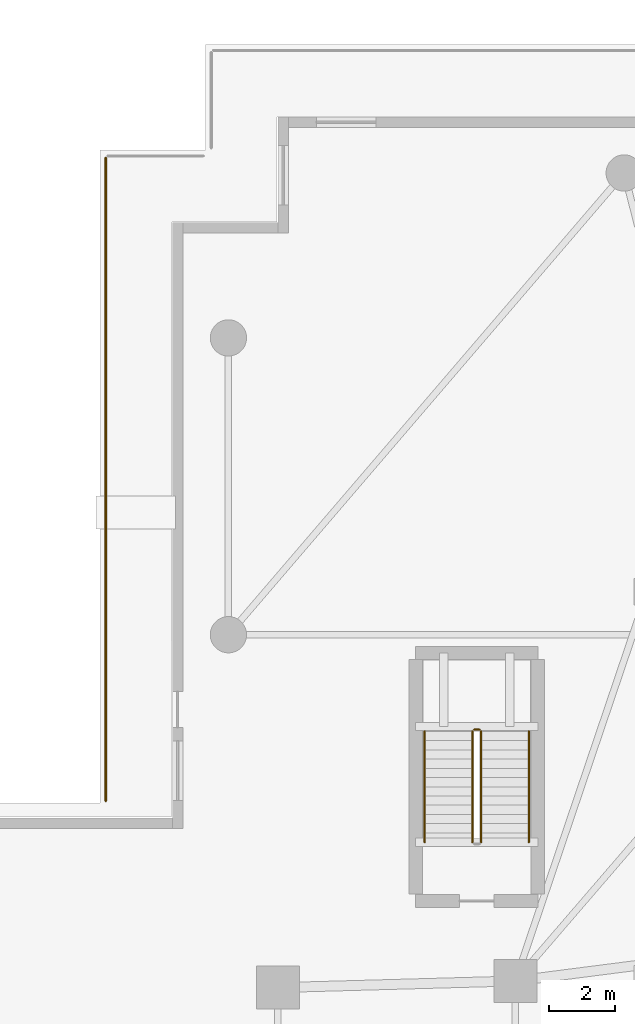
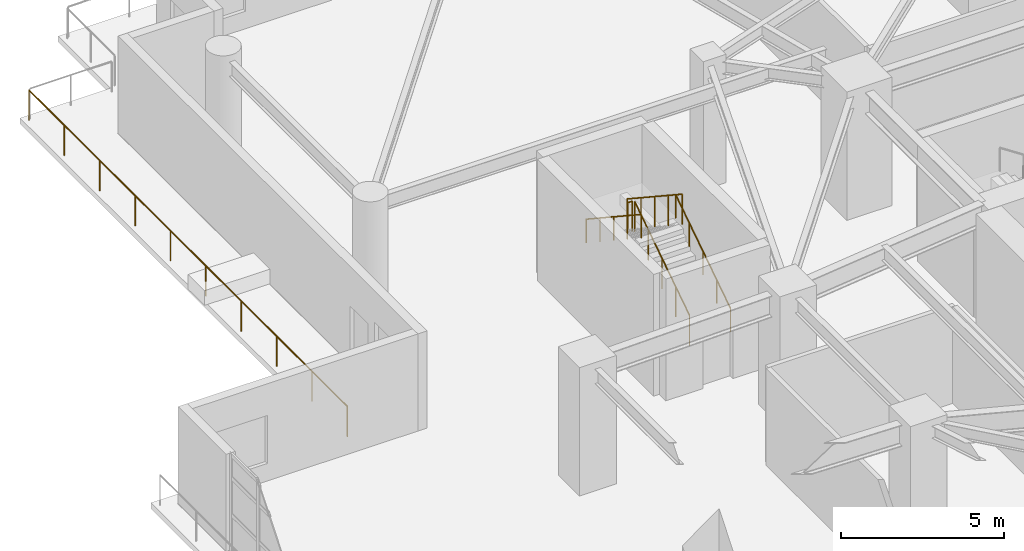
# One storey, part 21 of 23: 6 railings.
"""IFC4 building model written with IfcOpenShell, lengths in metres."""

from ifc_helpers import new_model, si_unit, direction, frame, origin, origin_2d, place, context, subcontext, project, spatial, circle, extrude, material, type_object, element, save


model = new_model("IFC4")

# Units and contexts
model_context = context("Model", 3, precision=1e-05, world=origin(), true_north=direction((0.0, 1.0)))
body_context = subcontext(model_context, "Body", "Model", "MODEL_VIEW")
ifc_project = project(units=[si_unit("LENGTHUNIT", "METRE"), si_unit("AREAUNIT", "SQUARE_METRE"), si_unit("VOLUMEUNIT", "CUBIC_METRE"), si_unit("PLANEANGLEUNIT", "RADIAN"), si_unit("MASSUNIT", "GRAM", prefix="KILO")], contexts=[model_context])

# Site, building, storey
site_placement = place(None, origin())
site = spatial("IfcSite", under=ifc_project, at=site_placement, CompositionType="ELEMENT")
building_placement = place(site_placement, origin())
building = spatial("IfcBuilding", under=site, at=building_placement, Name="Qingluan Cross Belvedere", CompositionType="ELEMENT")
storey_placement = place(building_placement, frame((0.0, 0.0, 5.39990234375)))
storey = spatial("IfcBuildingStorey", under=building, at=storey_placement, Name="L02", CompositionType="ELEMENT", Elevation=5.39990234375)

# Railings
ifc_material_1 = material(Name="Brushed stainless steel tubular handrail", Category="steel")
railing_type_1 = type_object("IfcRailingType", Name="StairPitchHandrail_900", PredefinedType="HANDRAIL", material=ifc_material_1)
railing_1_placement = place(storey_placement, frame((-19.389892578125, 8.2099609375, 0.184814453125)))
element("IfcRailing", 1, at=railing_1_placement, inside=storey, type_object=railing_type_1, Name="L02 ST5 stair handrail 1", PredefinedType="HANDRAIL", context=body_context, shape_type="SweptSolid", body=[
    extrude(circle(Radius=0.02392578125, at=origin_2d()), frame((0.0, 0.0, 0.8759765625), z_axis=(0.0, 0.834876476806, 0.550437342915), x_axis=(-1.0, 0.0, 0.0)), (0.0, 0.0, 1.0), 4.024658203125),
    extrude(circle(Radius=0.02099609375, at=origin_2d()), origin(), (0.0, 0.0, 1.0), 0.851806640625),
    extrude(circle(Radius=0.02099609375, at=origin_2d()), frame((0.0, 0.840087890625, 0.5537109375)), (0.0, 0.0, 1.0), 0.851806640625),
    extrude(circle(Radius=0.02099609375, at=origin_2d()), frame((0.0, 1.68017578125, 1.107666015625)), (0.0, 0.0, 1.0), 0.851806640625),
    extrude(circle(Radius=0.02099609375, at=origin_2d()), frame((0.0, 2.52001953125, 1.66162109375)), (0.0, 0.0, 1.0), 0.851806640625),
    extrude(circle(Radius=0.02099609375, at=origin_2d()), frame((0.0, 3.360107421875, 2.21533203125)), (0.0, 0.0, 1.0), 0.851806640625),
])
railing_2_placement = place(storey_placement, frame((-22.550048828125, 11.570068359375, 2.584716796875)))
element("IfcRailing", 2, at=railing_2_placement, inside=storey, type_object=railing_type_1, Name="L02 ST5 stair handrail 2", PredefinedType="HANDRAIL", context=body_context, shape_type="SweptSolid", body=[
    extrude(circle(Radius=0.02392578125, at=origin_2d()), frame((0.0, 0.0, 0.8759765625), z_axis=(0.0, -0.834876476806, 0.550437342915), x_axis=(1.0, 0.0, 0.0)), (0.0, 0.0, 1.0), 4.024658203125),
    extrude(circle(Radius=0.02099609375, at=origin_2d()), origin(), (0.0, 0.0, 1.0), 0.851806640625),
    extrude(circle(Radius=0.02099609375, at=origin_2d()), frame((0.0, -0.840087890625, 0.5537109375)), (0.0, 0.0, 1.0), 0.851806640625),
    extrude(circle(Radius=0.02099609375, at=origin_2d()), frame((0.0, -1.68017578125, 1.107666015625)), (0.0, 0.0, 1.0), 0.851806640625),
    extrude(circle(Radius=0.02099609375, at=origin_2d()), frame((0.0, -2.52001953125, 1.66162109375)), (0.0, 0.0, 1.0), 0.851806640625),
    extrude(circle(Radius=0.02099609375, at=origin_2d()), frame((0.0, -3.360107421875, 2.21533203125)), (0.0, 0.0, 1.0), 0.851806640625),
])
ifc_material_2 = material(Name="Painted steel stair well guard", Category="steel")
railing_type_2 = type_object("IfcRailingType", Name="StairWellGuard_1150", PredefinedType="BALUSTRADE", material=ifc_material_2)
railing_3_placement = place(storey_placement, frame((-20.840087890625, 8.2099609375, 0.184814453125)))
element("IfcRailing", 3, at=railing_3_placement, inside=storey, type_object=railing_type_2, Name="L02 ST5 stair guard 1", PredefinedType="BALUSTRADE", context=body_context, shape_type="SweptSolid", body=[
    extrude(circle(Radius=0.02392578125, at=origin_2d()), frame((0.0, 0.0, 1.1259765625), z_axis=(0.0, 0.834876476806, 0.550437342915), x_axis=(-1.0, 0.0, 0.0)), (0.0, 0.0, 1.0), 4.024658203125),
    extrude(circle(Radius=0.02099609375, at=origin_2d()), origin(), (0.0, 0.0, 1.0), 1.101806640625),
    extrude(circle(Radius=0.02099609375, at=origin_2d()), frame((0.0, 0.840087890625, 0.5537109375)), (0.0, 0.0, 1.0), 1.101806640625),
    extrude(circle(Radius=0.02099609375, at=origin_2d()), frame((0.0, 1.68017578125, 1.107666015625)), (0.0, 0.0, 1.0), 1.101806640625),
    extrude(circle(Radius=0.02099609375, at=origin_2d()), frame((0.0, 2.52001953125, 1.66162109375)), (0.0, 0.0, 1.0), 1.101806640625),
    extrude(circle(Radius=0.02099609375, at=origin_2d()), frame((0.0, 3.360107421875, 2.21533203125)), (0.0, 0.0, 1.0), 1.101806640625),
])
railing_4_placement = place(storey_placement, frame((-20.889892578125, 11.6201171875, 2.400146484375)))
element("IfcRailing", 4, at=railing_4_placement, inside=storey, type_object=railing_type_2, Name="L02 ST5 stair guard 2", PredefinedType="BALUSTRADE", context=body_context, shape_type="SweptSolid", body=[
    extrude(circle(Radius=0.02392578125, at=origin_2d()), frame((0.0, 0.0, 1.1259765625), z_axis=(-1.0, 0.0, 0.0), x_axis=(0.0, -1.0, 0.0)), (0.0, 0.0, 1.0), 0.16015625),
    extrude(circle(Radius=0.02099609375, at=origin_2d()), origin(), (0.0, 0.0, 1.0), 1.101806640625),
    extrude(circle(Radius=0.02099609375, at=origin_2d()), frame((-0.16015625, 0.0, 0.0)), (0.0, 0.0, 1.0), 1.101806640625),
])
railing_5_placement = place(storey_placement, frame((-21.10009765625, 11.570068359375, 2.584716796875)))
element("IfcRailing", 5, at=railing_5_placement, inside=storey, type_object=railing_type_2, Name="L02 ST5 stair guard 3", PredefinedType="BALUSTRADE", context=body_context, shape_type="SweptSolid", body=[
    extrude(circle(Radius=0.02392578125, at=origin_2d()), frame((0.0, 0.0, 1.1259765625), z_axis=(0.0, -0.834876476806, 0.550437342915), x_axis=(1.0, 0.0, 0.0)), (0.0, 0.0, 1.0), 4.024658203125),
    extrude(circle(Radius=0.02099609375, at=origin_2d()), origin(), (0.0, 0.0, 1.0), 1.101806640625),
    extrude(circle(Radius=0.02099609375, at=origin_2d()), frame((0.0, -0.840087890625, 0.5537109375)), (0.0, 0.0, 1.0), 1.101806640625),
    extrude(circle(Radius=0.02099609375, at=origin_2d()), frame((0.0, -1.68017578125, 1.107666015625)), (0.0, 0.0, 1.0), 1.101806640625),
    extrude(circle(Radius=0.02099609375, at=origin_2d()), frame((0.0, -2.52001953125, 1.66162109375)), (0.0, 0.0, 1.0), 1.101806640625),
    extrude(circle(Radius=0.02099609375, at=origin_2d()), frame((0.0, -3.360107421875, 2.21533203125)), (0.0, 0.0, 1.0), 1.101806640625),
])
ifc_material_3 = material(Name="Laminated glass and stainless steel balustrade", Category="steel")
railing_type_3 = type_object("IfcRailingType", Name="TerraceGuardBalustrade_1150", PredefinedType="BALUSTRADE", material=ifc_material_3)
railing_6_placement = place(storey_placement, frame((-32.219970703125, 9.4599609375, 0.0)))
element("IfcRailing", 6, at=railing_6_placement, inside=storey, type_object=railing_type_3, Name="Terrace guard L02-2", PredefinedType="BALUSTRADE", context=body_context, shape_type="SweptSolid", body=[
    extrude(circle(Radius=0.02392578125, at=origin_2d()), frame((0.0, 0.0, 1.1259765625), z_axis=(0.0, 1.0, 0.0), x_axis=(-1.0, 0.0, 0.0)), (0.0, 0.0, 1.0), 19.5),
    extrude(circle(Radius=0.02099609375, at=origin_2d()), origin(), (0.0, 0.0, 1.0), 1.101806640625),
    extrude(circle(Radius=0.02099609375, at=origin_2d()), frame((0.0, 2.166748046875, 0.0)), (0.0, 0.0, 1.0), 1.101806640625),
    extrude(circle(Radius=0.02099609375, at=origin_2d()), frame((0.0, 4.333251953125, 0.0)), (0.0, 0.0, 1.0), 1.101806640625),
    extrude(circle(Radius=0.02099609375, at=origin_2d()), frame((0.0, 6.5, 0.0)), (0.0, 0.0, 1.0), 1.101806640625),
    extrude(circle(Radius=0.02099609375, at=origin_2d()), frame((0.0, 8.666748046875, 0.0)), (0.0, 0.0, 1.0), 1.101806640625),
    extrude(circle(Radius=0.02099609375, at=origin_2d()), frame((0.0, 10.833251953125, 0.0)), (0.0, 0.0, 1.0), 1.101806640625),
    extrude(circle(Radius=0.02099609375, at=origin_2d()), frame((0.0, 13.0, 0.0)), (0.0, 0.0, 1.0), 1.101806640625),
    extrude(circle(Radius=0.02099609375, at=origin_2d()), frame((0.0, 15.166748046875, 0.0)), (0.0, 0.0, 1.0), 1.101806640625),
    extrude(circle(Radius=0.02099609375, at=origin_2d()), frame((0.0, 17.333251953125, 0.0)), (0.0, 0.0, 1.0), 1.101806640625),
    extrude(circle(Radius=0.02099609375, at=origin_2d()), frame((0.0, 19.5, 0.0)), (0.0, 0.0, 1.0), 1.101806640625),
])

save(model, "model.ifc")
